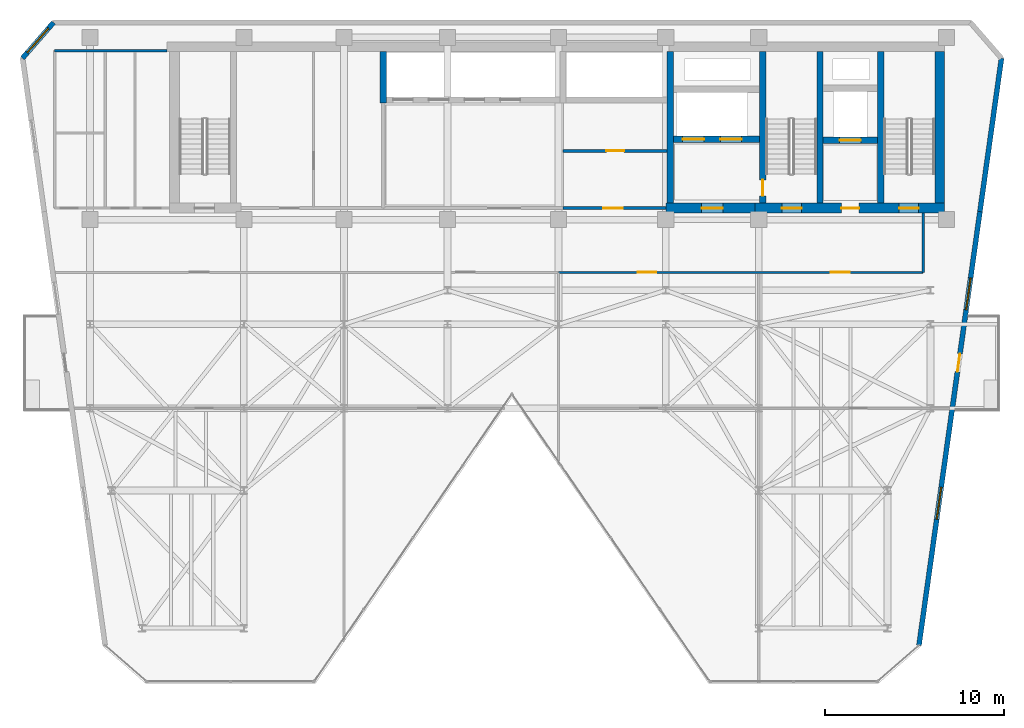
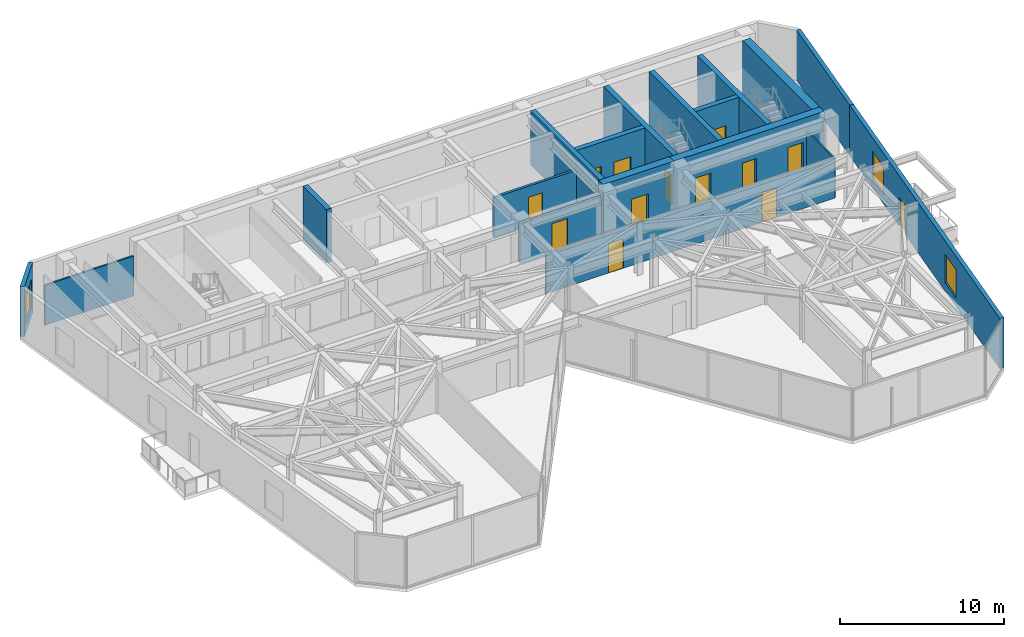
# One storey, part 17 of 21: 18 walls, 13 doors, 3 windows, 16 openings.
"""IFC4 building model written with IfcOpenShell, lengths in metres."""

from ifc_helpers import new_model, si_unit, direction, frame, frame_2d, origin, place, context, subcontext, project, spatial, rectangle, extrude, material, layer, layer_set, type_object, element, fill, save


model = new_model("IFC4")

# Units and contexts
model_context = context("Model", 3, precision=1e-05, world=origin(), true_north=direction((0.0, 1.0)))
body_context = subcontext(model_context, "Body", "Model", "MODEL_VIEW")
ifc_project = project(units=[si_unit("LENGTHUNIT", "METRE"), si_unit("AREAUNIT", "SQUARE_METRE"), si_unit("VOLUMEUNIT", "CUBIC_METRE"), si_unit("PLANEANGLEUNIT", "RADIAN"), si_unit("MASSUNIT", "GRAM", prefix="KILO")], contexts=[model_context])

# Site, building, storey
site_placement = place(None, origin())
site = spatial("IfcSite", under=ifc_project, at=site_placement, CompositionType="ELEMENT")
building_placement = place(site_placement, origin())
building = spatial("IfcBuilding", under=site, at=building_placement, Name="Kravanh Interchange Tower", CompositionType="ELEMENT")
storey_placement = place(building_placement, frame((0.0, 0.0, 208.5)))
storey = spatial("IfcBuildingStorey", under=building, at=storey_placement, Name="L50", CompositionType="ELEMENT", Elevation=208.5)

# Wall
ifc_material_1 = material(Name="Double Acoustic Gypsum Board and Mineral Wool")
ifc_layer_1 = layer(ifc_material_1, 0.1201171875)
ifc_layer_set_1 = layer_set([ifc_layer_1], Name="Acoustic Office Drywall Partition 120mm")
wall_type_1 = type_object("IfcWallType", Name="Acoustic Office Drywall Partition 120mm", PredefinedType="PARTITIONING", material=ifc_layer_set_1)
wall_1_placement = place(storey_placement, frame((16.6201171875, 46.800048828125, 0.0), z_axis=(0.0, 0.0, 1.0), x_axis=(1.0, 0.0, 0.0)))
element("IfcWall", 1, at=wall_1_placement, inside=storey, type_object=wall_type_1, Name="L50 Restroom North Enclosure 9", PredefinedType="PARTITIONING", context=body_context, shape_type="SweptSolid", body=[
    extrude(rectangle(XDim=6.27978515625, YDim=0.1201171875, at=frame_2d((3.139892578125, 0.0))), origin(), (0.0, 0.0, 1.0), 2.98193359375),
])

# Wall, openings, doors
wall_2_placement = place(storey_placement, frame((44.800048828125, 34.39990234375, 0.0), z_axis=(0.0, 0.0, 1.0), x_axis=(1.0, 0.0, 0.0)))
wall_2 = element("IfcWall", 2, at=wall_2_placement, inside=storey, type_object=wall_type_1, Name="L50 Interior Partition 14", PredefinedType="PARTITIONING", context=body_context, shape_type="SweptSolid", body=[
    extrude(rectangle(XDim=20.39990234375, YDim=0.1201171875, at=frame_2d((10.199951171875, 0.0))), origin(), (0.0, 0.0, 1.0), 2.98193359375),
])
opening_1_placement = place(wall_2_placement, frame((4.431640625, 0.0, 0.0)))
opening_1 = element("IfcOpeningElement", 3, at=opening_1_placement, cuts=wall_2, Name="Opening D-105", PredefinedType="OPENING", context=body_context, shape_type="SweptSolid", body=[
    extrude(rectangle(XDim=1.050048828125, YDim=2.199951171875, at=frame_2d((0.52490234375, 1.10009765625))), frame((0.0, 0.070068359375, 0.0), z_axis=(0.0, -1.0, 0.0), x_axis=(1.0, 0.0, 0.0)), (0.0, 0.0, 1.0), 0.14013671875),
])
opening_2_placement = place(wall_2_placement, frame((15.234619140625, 0.0, 0.0)))
opening_2 = element("IfcOpeningElement", 4, at=opening_2_placement, cuts=wall_2, Name="Opening D-105", PredefinedType="OPENING", context=body_context, shape_type="SweptSolid", body=[
    extrude(rectangle(XDim=1.050048828125, YDim=2.199951171875, at=frame_2d((0.52490234375, 1.10009765625))), frame((0.0, 0.070068359375, 0.0), z_axis=(0.0, -1.0, 0.0), x_axis=(1.0, 0.0, 0.0)), (0.0, 0.0, 1.0), 0.14013671875),
])
ifc_material_2 = material(Name="Acoustic Glazed Oak and Aluminium", Category="aluminium")
door_type_1 = type_object("IfcDoorType", Name="Office Workplace Door 1050x2200", OperationType="NOTDEFINED", PredefinedType="DOOR", material=ifc_material_2)
door_1_placement = place(opening_1_placement, origin())
door_1 = element("IfcDoor", 5, at=door_1_placement, inside=storey, type_object=door_type_1, Name="L50 North Tea Kitchenette 13C Door", OperationType="SINGLE_SWING_RIGHT", OverallHeight=2.199951171875, OverallWidth=1.050048828125, PredefinedType="DOOR", context=body_context, shape_type="SweptSolid", body=[
    extrude(rectangle(XDim=1.050048828125, YDim=2.199951171875, at=frame_2d((0.52490234375, 1.10009765625))), frame((0.0, 0.02490234375, 0.0), z_axis=(0.0, -1.0, 0.0), x_axis=(1.0, 0.0, 0.0)), (0.0, 0.0, 1.0), 0.050048828125),
])
fill(opening_1, door_1)
door_2_placement = place(opening_2_placement, origin())
door_2 = element("IfcDoor", 6, at=door_2_placement, inside=storey, type_object=door_type_1, Name="L50 East Balcony Lounge 13D Door", OperationType="SINGLE_SWING_RIGHT", OverallHeight=2.199951171875, OverallWidth=1.050048828125, PredefinedType="DOOR", context=body_context, shape_type="SweptSolid", body=[
    extrude(rectangle(XDim=1.050048828125, YDim=2.199951171875, at=frame_2d((0.52490234375, 1.10009765625))), frame((0.0, 0.02490234375, 0.0), z_axis=(0.0, -1.0, 0.0), x_axis=(1.0, 0.0, 0.0)), (0.0, 0.0, 1.0), 0.050048828125),
])
fill(opening_2, door_2)

# Walls
wall_3_placement = place(storey_placement, frame((65.199951171875, 34.39990234375, 0.0), z_axis=(0.0, 0.0, 1.0), x_axis=(0.0, 1.0, 0.0)))
element("IfcWall", 7, at=wall_3_placement, inside=storey, type_object=wall_type_1, Name="L50 Interior Partition 15", PredefinedType="PARTITIONING", context=body_context, shape_type="SweptSolid", body=[
    extrude(rectangle(XDim=3.317138671875, YDim=0.1201171875, at=frame_2d((1.65869140625, 0.0))), origin(), (0.0, 0.0, 1.0), 2.98193359375),
])
ifc_material_3 = material(Name="Concrete C60/75", Category="concrete")
ifc_layer_2 = layer(ifc_material_3, 0.35009765625)
ifc_layer_set_2 = layer_set([ifc_layer_2], Name="Core Shear Wall Concrete C60/75 350mm")
wall_type_2 = type_object("IfcWallType", Name="Core Shear Wall Concrete C60/75 350mm", PredefinedType="SHEAR", material=ifc_layer_set_2)
for number, where, z_axis, x_axis, name in (
    (8, (62.824951171875, 38.27490234375, 0.0), (0.0, 0.0, 1.0), (0.0, 1.0, 0.0), "L50 Stair ST1 West Shear Wall"),
    (9, (59.425048828125, 38.27490234375, 0.0), (0.0, 0.0, 1.0), (0.0, 1.0, 0.0), "L50 Stair ST2 East Shear Wall"),
):
    element("IfcWall", number, at=place(storey_placement, frame(where, z_axis=z_axis, x_axis=x_axis)), inside=storey, type_object=wall_type_2, Name=name, PredefinedType="SHEAR", context=body_context, shape_type="SweptSolid", body=[
        extrude(rectangle(XDim=8.47509765625, YDim=0.35009765625, at=frame_2d((4.237548828125, 0.0))), origin(), (0.0, 0.0, 1.0), 4.0),
    ])

# Wall, opening, door
wall_4_placement = place(storey_placement, frame((56.22509765625, 38.27490234375, 0.0), z_axis=(0.0, 0.0, 1.0), x_axis=(0.0, 1.0, 0.0)))
wall_4 = element("IfcWall", 10, at=wall_4_placement, inside=storey, type_object=wall_type_2, Name="L50 Stair ST2 West Shear Wall", PredefinedType="SHEAR", context=body_context, shape_type="SweptSolid", body=[
    extrude(rectangle(XDim=8.47509765625, YDim=0.35009765625, at=frame_2d((4.237548828125, 0.0))), origin(), (0.0, 0.0, 1.0), 4.0),
])
opening_3_placement = place(wall_4_placement, frame((0.405029296875, 0.0, 0.0)))
opening_3 = element("IfcOpeningElement", 11, at=opening_3_placement, cuts=wall_4, Name="Opening D-STAIR-90", PredefinedType="OPENING", context=body_context, shape_type="SweptSolid", body=[
    extrude(rectangle(XDim=0.89990234375, YDim=2.14990234375, at=frame_2d((0.449951171875, 1.074951171875))), frame((0.0, 0.18505859375, 0.0), z_axis=(0.0, -1.0, 0.0), x_axis=(1.0, 0.0, 0.0)), (0.0, 0.0, 1.0), 0.3701171875),
])
ifc_material_4 = material(Name="Structural Steel S355", Category="steel")
door_type_2 = type_object("IfcDoorType", Name="Fire-Rated Stair Lobby Door 900x2150", OperationType="NOTDEFINED", PredefinedType="DOOR", material=ifc_material_4)
door_3_placement = place(opening_3_placement, origin())
door_3 = element("IfcDoor", 12, at=door_3_placement, inside=storey, type_object=door_type_2, Name="L50 Firefighting Lobby to Stair ST2 Door", OperationType="SINGLE_SWING_LEFT", OverallHeight=2.14990234375, OverallWidth=0.89990234375, PredefinedType="DOOR", context=body_context, shape_type="SweptSolid", body=[
    extrude(rectangle(XDim=0.89990234375, YDim=2.14990234375, at=frame_2d((0.449951171875, 1.074951171875))), frame((0.0, 0.02490234375, 0.0), z_axis=(0.0, -1.0, 0.0), x_axis=(1.0, 0.0, 0.0)), (0.0, 0.0, 1.0), 0.050048828125),
])
fill(opening_3, door_3)

wall_5_placement = place(storey_placement, frame((59.60009765625, 41.800048828125, 0.0), z_axis=(0.0, 0.0, 1.0), x_axis=(1.0, 0.0, 0.0)))
wall_5 = element("IfcWall", 13, at=wall_5_placement, inside=storey, type_object=wall_type_2, Name="L50 Service Lift Shaft South Wall", PredefinedType="SHEAR", context=body_context, shape_type="SweptSolid", body=[
    extrude(rectangle(XDim=3.0498046875, YDim=0.35009765625, at=frame_2d((1.52490234375, 0.0))), origin(), (0.0, 0.0, 1.0), 4.0),
])
opening_4_placement = place(wall_5_placement, frame((0.919921875, 0.0, 0.0)))
opening_4 = element("IfcOpeningElement", 14, at=opening_4_placement, cuts=wall_5, Name="Opening LD02", PredefinedType="OPENING", context=body_context, shape_type="SweptSolid", body=[
    extrude(rectangle(XDim=1.199951171875, YDim=2.199951171875, at=frame_2d((0.60009765625, 1.10009765625))), frame((0.0, 0.18505859375, 0.0), z_axis=(0.0, -1.0, 0.0), x_axis=(1.0, 0.0, 0.0)), (0.0, 0.0, 1.0), 0.3701171875),
])
ifc_material_5 = material(Name="Stainless Steel 316", Category="steel")
door_type_3 = type_object("IfcDoorType", Name="Fire and Service Lift Sliding Landing Door 1200x2200", OperationType="DOUBLE_DOOR_SLIDING", PredefinedType="DOOR", material=ifc_material_5)
door_4_placement = place(opening_4_placement, origin())
door_4 = element("IfcDoor", 15, at=door_4_placement, inside=storey, type_object=door_type_3, Name="L50 Lift LS-01 Landing Door", OperationType="DOUBLE_DOOR_SLIDING", OverallHeight=2.199951171875, OverallWidth=1.199951171875, PredefinedType="DOOR", context=body_context, shape_type="SweptSolid", body=[
    extrude(rectangle(XDim=1.199951171875, YDim=2.199951171875, at=frame_2d((0.60009765625, 1.10009765625))), frame((0.0, 0.02490234375, 0.0), z_axis=(0.0, -1.0, 0.0), x_axis=(1.0, 0.0, 0.0)), (0.0, 0.0, 1.0), 0.050048828125),
])
fill(opening_4, door_4)

# Wall, openings, doors
wall_6_placement = place(storey_placement, frame((51.22509765625, 41.85009765625, 0.0), z_axis=(0.0, 0.0, 1.0), x_axis=(1.0, 0.0, 0.0)))
wall_6 = element("IfcWall", 16, at=wall_6_placement, inside=storey, type_object=wall_type_2, Name="L50 Fire Lift Shaft South Wall", PredefinedType="SHEAR", context=body_context, shape_type="SweptSolid", body=[
    extrude(rectangle(XDim=4.824951171875, YDim=0.35009765625, at=frame_2d((2.41259765625, 0.0))), origin(), (0.0, 0.0, 1.0), 4.0),
])
opening_5_placement = place(wall_6_placement, frame((0.52490234375, 0.0, 0.0)))
opening_5 = element("IfcOpeningElement", 17, at=opening_5_placement, cuts=wall_6, Name="Opening LD02", PredefinedType="OPENING", context=body_context, shape_type="SweptSolid", body=[
    extrude(rectangle(XDim=1.199951171875, YDim=2.199951171875, at=frame_2d((0.60009765625, 1.10009765625))), frame((0.0, 0.18505859375, 0.0), z_axis=(0.0, -1.0, 0.0), x_axis=(1.0, 0.0, 0.0)), (0.0, 0.0, 1.0), 0.3701171875),
])
opening_6_placement = place(wall_6_placement, frame((2.625, 0.0, 0.0)))
opening_6 = element("IfcOpeningElement", 18, at=opening_6_placement, cuts=wall_6, Name="Opening LD02", PredefinedType="OPENING", context=body_context, shape_type="SweptSolid", body=[
    extrude(rectangle(XDim=1.199951171875, YDim=2.199951171875, at=frame_2d((0.60009765625, 1.10009765625))), frame((0.0, 0.18505859375, 0.0), z_axis=(0.0, -1.0, 0.0), x_axis=(1.0, 0.0, 0.0)), (0.0, 0.0, 1.0), 0.3701171875),
])
door_5_placement = place(opening_5_placement, origin())
door_5 = element("IfcDoor", 19, at=door_5_placement, inside=storey, type_object=door_type_3, Name="L50 Lift FSAE-01 Landing Door", OperationType="DOUBLE_DOOR_SLIDING", OverallHeight=2.199951171875, OverallWidth=1.199951171875, PredefinedType="DOOR", context=body_context, shape_type="SweptSolid", body=[
    extrude(rectangle(XDim=1.199951171875, YDim=2.199951171875, at=frame_2d((0.60009765625, 1.10009765625))), frame((0.0, 0.02490234375, 0.0), z_axis=(0.0, -1.0, 0.0), x_axis=(1.0, 0.0, 0.0)), (0.0, 0.0, 1.0), 0.050048828125),
])
fill(opening_5, door_5)
door_6_placement = place(opening_6_placement, origin())
door_6 = element("IfcDoor", 20, at=door_6_placement, inside=storey, type_object=door_type_3, Name="L50 Lift FSAE-02 Landing Door", OperationType="DOUBLE_DOOR_SLIDING", OverallHeight=2.199951171875, OverallWidth=1.199951171875, PredefinedType="DOOR", context=body_context, shape_type="SweptSolid", body=[
    extrude(rectangle(XDim=1.199951171875, YDim=2.199951171875, at=frame_2d((0.60009765625, 1.10009765625))), frame((0.0, 0.02490234375, 0.0), z_axis=(0.0, -1.0, 0.0), x_axis=(1.0, 0.0, 0.0)), (0.0, 0.0, 1.0), 0.050048828125),
])
fill(opening_6, door_6)

# Walls
wall_7_placement = place(storey_placement, frame((51.050048828125, 38.27490234375, 0.0), z_axis=(0.0, 0.0, 1.0), x_axis=(0.0, 1.0, 0.0)))
element("IfcWall", 21, at=wall_7_placement, inside=storey, type_object=wall_type_2, Name="L50 Firefighting Lobby West Wall", PredefinedType="SHEAR", context=body_context, shape_type="SweptSolid", body=[
    extrude(rectangle(XDim=8.47509765625, YDim=0.35009765625, at=frame_2d((4.237548828125, 0.0))), origin(), (0.0, 0.0, 1.0), 4.0),
])
wall_8_placement = place(storey_placement, frame((35.0, 43.875, 0.0), z_axis=(0.0, 0.0, 1.0), x_axis=(0.0, 1.0, 0.0)))
element("IfcWall", 22, at=wall_8_placement, inside=storey, type_object=wall_type_2, Name="L50 Mid-Rise Lift Shaft West Wall", PredefinedType="SHEAR", context=body_context, shape_type="SweptSolid", body=[
    extrude(rectangle(XDim=2.875, YDim=0.35009765625, at=frame_2d((1.4375, 0.0))), origin(), (0.0, 0.0, 1.0), 4.0),
])

# Wall, openings, doors
ifc_material_6 = material(Name="Concrete C70/85", Category="concrete")
ifc_layer_3 = layer(ifc_material_6, 0.550048828125)
ifc_layer_set_3 = layer_set([ifc_layer_3], Name="Core Shear Wall Concrete C70/85 550mm")
wall_type_3 = type_object("IfcWallType", Name="Core Shear Wall Concrete C70/85 550mm", PredefinedType="SHEAR", material=ifc_layer_set_3)
wall_9_placement = place(storey_placement, frame((55.800048828125, 38.0, 0.0), z_axis=(0.0, 0.0, 1.0), x_axis=(1.0, 0.0, 0.0)))
wall_9 = element("IfcWall", 23, at=wall_9_placement, inside=storey, type_object=wall_type_3, Name="L50 East Core South Shear Wall", PredefinedType="SHEAR", context=body_context, shape_type="SweptSolid", body=[
    extrude(rectangle(XDim=10.599853515625, YDim=0.550048828125, at=frame_2d((5.2998046875, 0.0))), origin(), (0.0, 0.0, 1.0), 4.0),
])
opening_7_placement = place(wall_9_placement, frame((1.5, 0.0, 0.0)))
opening_7 = element("IfcOpeningElement", 24, at=opening_7_placement, cuts=wall_9, Name="Opening D-STAIR-110", PredefinedType="OPENING", context=body_context, shape_type="SweptSolid", body=[
    extrude(rectangle(XDim=1.10009765625, YDim=2.199951171875, at=frame_2d((0.550048828125, 1.10009765625))), frame((0.0, 0.28515625, 0.0), z_axis=(0.0, -1.0, 0.0), x_axis=(1.0, 0.0, 0.0)), (0.0, 0.0, 1.0), 0.570068359375),
])
opening_8_placement = place(wall_9_placement, frame((4.820068359375, 0.0, 0.0)))
opening_8 = element("IfcOpeningElement", 25, at=opening_8_placement, cuts=wall_9, Name="Opening D-HOTEL-100", PredefinedType="OPENING", context=body_context, shape_type="SweptSolid", body=[
    extrude(rectangle(XDim=1.0, YDim=2.14990234375, at=frame_2d((0.5, 1.074951171875))), frame((0.0, 0.28515625, 0.0), z_axis=(0.0, -1.0, 0.0), x_axis=(1.0, 0.0, 0.0)), (0.0, 0.0, 1.0), 0.570068359375),
])
opening_9_placement = place(wall_9_placement, frame((8.050048828125, 0.0, 0.0)))
opening_9 = element("IfcOpeningElement", 26, at=opening_9_placement, cuts=wall_9, Name="Opening D-STAIR-110", PredefinedType="OPENING", context=body_context, shape_type="SweptSolid", body=[
    extrude(rectangle(XDim=1.10009765625, YDim=2.199951171875, at=frame_2d((0.550048828125, 1.10009765625))), frame((0.0, 0.28515625, 0.0), z_axis=(0.0, -1.0, 0.0), x_axis=(1.0, 0.0, 0.0)), (0.0, 0.0, 1.0), 0.570068359375),
])
ifc_material_7 = material(Name="Structural Steel S355", Category="steel")
door_type_4 = type_object("IfcDoorType", Name="Fire-Rated Exit Stair Door 1100x2200", OperationType="NOTDEFINED", PredefinedType="DOOR", material=ifc_material_7)
door_7_placement = place(opening_7_placement, origin())
door_7 = element("IfcDoor", 27, at=door_7_placement, inside=storey, type_object=door_type_4, Name="L50 Exit Stair ST2 Door", OperationType="SINGLE_SWING_RIGHT", OverallHeight=2.199951171875, OverallWidth=1.10009765625, PredefinedType="DOOR", context=body_context, shape_type="SweptSolid", body=[
    extrude(rectangle(XDim=1.10009765625, YDim=2.199951171875, at=frame_2d((0.550048828125, 1.10009765625))), frame((0.0, 0.02490234375, 0.0), z_axis=(0.0, -1.0, 0.0), x_axis=(1.0, 0.0, 0.0)), (0.0, 0.0, 1.0), 0.050048828125),
])
fill(opening_7, door_7)
door_8_placement = place(opening_9_placement, origin())
door_8 = element("IfcDoor", 28, at=door_8_placement, inside=storey, type_object=door_type_4, Name="L50 Exit Stair ST1 Door", OperationType="SINGLE_SWING_RIGHT", OverallHeight=2.199951171875, OverallWidth=1.10009765625, PredefinedType="DOOR", context=body_context, shape_type="SweptSolid", body=[
    extrude(rectangle(XDim=1.10009765625, YDim=2.199951171875, at=frame_2d((0.550048828125, 1.10009765625))), frame((0.0, 0.02490234375, 0.0), z_axis=(0.0, -1.0, 0.0), x_axis=(1.0, 0.0, 0.0)), (0.0, 0.0, 1.0), 0.050048828125),
])
fill(opening_9, door_8)
ifc_material_8 = material(Name="Fire-Rated Solid Timber Leaf", Category="wood")
door_type_5 = type_object("IfcDoorType", Name="Fire-Rated Suite Entrance Door 1000x2150", OperationType="NOTDEFINED", PredefinedType="DOOR", material=ifc_material_8)
door_9_placement = place(opening_8_placement, origin())
door_9 = element("IfcDoor", 29, at=door_9_placement, inside=storey, type_object=door_type_5, Name="L50 Service Lift Lobby Door", OperationType="SINGLE_SWING_RIGHT", OverallHeight=2.14990234375, OverallWidth=1.0, PredefinedType="DOOR", context=body_context, shape_type="SweptSolid", body=[
    extrude(rectangle(XDim=1.0, YDim=2.14990234375, at=frame_2d((0.5, 1.074951171875))), frame((0.0, 0.02490234375, 0.0), z_axis=(0.0, -1.0, 0.0), x_axis=(1.0, 0.0, 0.0)), (0.0, 0.0, 1.0), 0.050048828125),
])
fill(opening_8, door_9)

# Wall
wall_10_placement = place(storey_placement, frame((66.125, 38.27490234375, 0.0), z_axis=(0.0, 0.0, 1.0), x_axis=(0.0, 1.0, 0.0)))
element("IfcWall", 30, at=wall_10_placement, inside=storey, type_object=wall_type_3, Name="L50 Stair ST1 East Shear Wall", PredefinedType="SHEAR", context=body_context, shape_type="SweptSolid", body=[
    extrude(rectangle(XDim=8.47509765625, YDim=0.550048828125, at=frame_2d((4.237548828125, 0.0))), origin(), (0.0, 0.0, 1.0), 4.0),
])

# Wall, opening, door
wall_11_placement = place(storey_placement, frame((50.800048828125, 38.0, 0.0), z_axis=(0.0, 0.0, 1.0), x_axis=(1.0, 0.0, 0.0)))
wall_11 = element("IfcWall", 31, at=wall_11_placement, inside=storey, type_object=wall_type_3, Name="L50 Firefighting Lobby South Shear Wall", PredefinedType="SHEAR", context=body_context, shape_type="SweptSolid", body=[
    extrude(rectangle(XDim=5.0, YDim=0.550048828125, at=frame_2d((2.5, 0.0))), origin(), (0.0, 0.0, 1.0), 4.0),
])
opening_10_placement = place(wall_11_placement, frame((2.0, 0.0, 0.0)))
opening_10 = element("IfcOpeningElement", 32, at=opening_10_placement, cuts=wall_11, Name="Opening D-FSAE-120", PredefinedType="OPENING", context=body_context, shape_type="SweptSolid", body=[
    extrude(rectangle(XDim=1.199951171875, YDim=2.199951171875, at=frame_2d((0.60009765625, 1.10009765625))), frame((0.0, 0.28515625, 0.0), z_axis=(0.0, -1.0, 0.0), x_axis=(1.0, 0.0, 0.0)), (0.0, 0.0, 1.0), 0.570068359375),
])
ifc_material_9 = material(Name="Structural Steel S355", Category="steel")
door_type_6 = type_object("IfcDoorType", Name="Fire-Rated Refuge and FSAE Door 1200x2200", OperationType="NOTDEFINED", PredefinedType="DOOR", material=ifc_material_9)
door_10_placement = place(opening_10_placement, origin())
door_10 = element("IfcDoor", 33, at=door_10_placement, inside=storey, type_object=door_type_6, Name="L50 Firefighting Lobby Corridor Door", OperationType="SINGLE_SWING_RIGHT", OverallHeight=2.199951171875, OverallWidth=1.199951171875, PredefinedType="DOOR", context=body_context, shape_type="SweptSolid", body=[
    extrude(rectangle(XDim=1.199951171875, YDim=2.199951171875, at=frame_2d((0.60009765625, 1.10009765625))), frame((0.0, 0.02490234375, 0.0), z_axis=(0.0, -1.0, 0.0), x_axis=(1.0, 0.0, 0.0)), (0.0, 0.0, 1.0), 0.050048828125),
])
fill(opening_10, door_10)

# Wall, opening, window
ifc_material_10 = material(Name="Insulated Precast Concrete C40/50 with Bronze Cladding", Category="concrete")
ifc_layer_4 = layer(ifc_material_10, 0.280029296875)
ifc_layer_set_4 = layer_set([ifc_layer_4], Name="Exterior Insulated Concrete C40/50 Bronze Spandrel Wall 280mm")
wall_type_4 = type_object("IfcWallType", Name="Exterior Insulated Concrete C40/50 Bronze Spandrel Wall 280mm", PredefinedType="STANDARD", material=ifc_layer_set_4)
wall_12_placement = place(storey_placement, frame((14.818603515625, 46.3828125, 0.0), z_axis=(0.0, 0.0, 1.0), x_axis=(0.656071351282, 0.754698868442, 0.0)))
wall_12 = element("IfcWall", 34, at=wall_12_placement, inside=storey, type_object=wall_type_4, Name="L50 Exterior Wall 3", PredefinedType="STANDARD", context=body_context, shape_type="SweptSolid", body=[
    extrude(rectangle(XDim=2.646240234375, YDim=0.280029296875, at=frame_2d((1.3232421875, 0.0))), origin(), (0.0, 0.0, 1.0), 3.7548828125),
])
opening_11_placement = place(wall_12_placement, frame((0.41552734375, 0.0, 0.64990234375)))
opening_11 = element("IfcOpeningElement", 35, at=opening_11_placement, cuts=wall_12, Name="Opening WN-180X210", PredefinedType="OPENING", context=body_context, shape_type="SweptSolid", body=[
    extrude(rectangle(XDim=1.800048828125, YDim=2.10009765625, at=frame_2d((0.89990234375, 1.050048828125))), frame((0.0, 0.14990234375, 0.0), z_axis=(0.0, -1.0, 0.0), x_axis=(1.0, 0.0, 0.0)), (0.0, 0.0, 1.0), 0.300048828125),
])
ifc_material_11 = material(Name="Thermally Broken Bronze Aluminium and Low-E Glass", Category="aluminium")
window_type = type_object("IfcWindowType", Name="Tower Pier Window 1800x2100", PartitioningType="SINGLE_PANEL", PredefinedType="WINDOW", material=ifc_material_11)
window_1_placement = place(opening_11_placement, origin())
window_1 = element("IfcWindow", 36, at=window_1_placement, inside=storey, type_object=window_type, Name="L50 Corner Window 3", OverallHeight=2.10009765625, OverallWidth=1.800048828125, PartitioningType="SINGLE_PANEL", PredefinedType="WINDOW", context=body_context, shape_type="SweptSolid", body=[
    extrude(rectangle(XDim=1.800048828125, YDim=2.10009765625, at=frame_2d((0.89990234375, 1.050048828125))), frame((0.0, 0.030029296875, 0.0), z_axis=(0.0, -1.0, 0.0), x_axis=(1.0, 0.0, 0.0)), (0.0, 0.0, 1.0), 0.06005859375),
])
fill(opening_11, window_1)

# Wall
wall_13_placement = place(storey_placement, frame((69.581298828125, 46.3828125, 0.0), z_axis=(0.0, 0.0, 1.0), x_axis=(-0.13918102754, -0.990266954701, 0.0)))
element("IfcWall", 37, at=wall_13_placement, inside=storey, type_object=wall_type_4, Name="L50 Exterior Wall 6", PredefinedType="STANDARD", context=body_context, shape_type="SweptSolid", body=[
    extrude(rectangle(XDim=8.667236328125, YDim=0.280029296875, at=frame_2d((4.33349609375, 0.0))), origin(), (0.0, 0.0, 1.0), 3.7548828125),
])

# Wall, openings, door, windows
wall_14_placement = place(storey_placement, frame((68.375, 37.800048828125, 0.0), z_axis=(0.0, 0.0, 1.0), x_axis=(-0.139173290738, -0.99026804207, 0.0)))
wall_14 = element("IfcWall", 38, at=wall_14_placement, inside=storey, type_object=wall_type_4, Name="L50 Exterior Wall 7", PredefinedType="STANDARD", context=body_context, shape_type="SweptSolid", body=[
    extrude(rectangle(XDim=24.497802734375, YDim=0.280029296875, at=frame_2d((12.2490234375, 0.0))), origin(), (0.0, 0.0, 1.0), 3.7548828125),
])
opening_12_placement = place(wall_14_placement, frame((8.036376953125, 0.0, 0.0)))
opening_12 = element("IfcOpeningElement", 39, at=opening_12_placement, cuts=wall_14, Name="Opening ED-BAL100", PredefinedType="OPENING", context=body_context, shape_type="SweptSolid", body=[
    extrude(rectangle(XDim=1.0, YDim=2.14990234375, at=frame_2d((0.5, 1.074951171875))), frame((0.0, 0.14990234375, 0.0), z_axis=(0.0, -1.0, 0.0), x_axis=(1.0, 0.0, 0.0)), (0.0, 0.0, 1.0), 0.300048828125),
])
opening_13_placement = place(wall_14_placement, frame((3.74853515625, 0.0, 0.64990234375)))
opening_13 = element("IfcOpeningElement", 40, at=opening_13_placement, cuts=wall_14, Name="Opening WN-180X210", PredefinedType="OPENING", context=body_context, shape_type="SweptSolid", body=[
    extrude(rectangle(XDim=1.800048828125, YDim=2.10009765625, at=frame_2d((0.89990234375, 1.050048828125))), frame((0.0, 0.14990234375, 0.0), z_axis=(0.0, -1.0, 0.0), x_axis=(1.0, 0.0, 0.0)), (0.0, 0.0, 1.0), 0.300048828125),
])
opening_14_placement = place(wall_14_placement, frame((15.5712890625, 0.0, 0.64990234375)))
opening_14 = element("IfcOpeningElement", 41, at=opening_14_placement, cuts=wall_14, Name="Opening WN-180X210", PredefinedType="OPENING", context=body_context, shape_type="SweptSolid", body=[
    extrude(rectangle(XDim=1.800048828125, YDim=2.10009765625, at=frame_2d((0.89990234375, 1.050048828125))), frame((0.0, 0.14990234375, 0.0), z_axis=(0.0, -1.0, 0.0), x_axis=(1.0, 0.0, 0.0)), (0.0, 0.0, 1.0), 0.300048828125),
])
ifc_material_12 = material(Name="Thermally Broken Bronze Aluminium and Laminated Glass", Category="aluminium")
door_type_7 = type_object("IfcDoorType", Name="Balcony Glazed Door 1000x2150", OperationType="NOTDEFINED", PredefinedType="DOOR", material=ifc_material_12)
door_11_placement = place(opening_12_placement, origin())
door_11 = element("IfcDoor", 42, at=door_11_placement, inside=storey, type_object=door_type_7, Name="L50 E Tree Balcony Access Door", OperationType="SINGLE_SWING_RIGHT", OverallHeight=2.14990234375, OverallWidth=1.0, PredefinedType="DOOR", context=body_context, shape_type="SweptSolid", body=[
    extrude(rectangle(XDim=1.0, YDim=2.14990234375, at=frame_2d((0.5, 1.074951171875))), frame((0.0, 0.02490234375, 0.0), z_axis=(0.0, -1.0, 0.0), x_axis=(1.0, 0.0, 0.0)), (0.0, 0.0, 1.0), 0.050048828125),
])
fill(opening_12, door_11)
window_2_placement = place(opening_13_placement, origin())
window_2 = element("IfcWindow", 43, at=window_2_placement, inside=storey, type_object=window_type, Name="L50 Facade Window 7A", OverallHeight=2.10009765625, OverallWidth=1.800048828125, PartitioningType="SINGLE_PANEL", PredefinedType="WINDOW", context=body_context, shape_type="SweptSolid", body=[
    extrude(rectangle(XDim=1.800048828125, YDim=2.10009765625, at=frame_2d((0.89990234375, 1.050048828125))), frame((0.0, 0.030029296875, 0.0), z_axis=(0.0, -1.0, 0.0), x_axis=(1.0, 0.0, 0.0)), (0.0, 0.0, 1.0), 0.06005859375),
])
fill(opening_13, window_2)
window_3_placement = place(opening_14_placement, origin())
window_3 = element("IfcWindow", 44, at=window_3_placement, inside=storey, type_object=window_type, Name="L50 Facade Window 7B", OverallHeight=2.10009765625, OverallWidth=1.800048828125, PartitioningType="SINGLE_PANEL", PredefinedType="WINDOW", context=body_context, shape_type="SweptSolid", body=[
    extrude(rectangle(XDim=1.800048828125, YDim=2.10009765625, at=frame_2d((0.89990234375, 1.050048828125))), frame((0.0, 0.030029296875, 0.0), z_axis=(0.0, -1.0, 0.0), x_axis=(1.0, 0.0, 0.0)), (0.0, 0.0, 1.0), 0.06005859375),
])
fill(opening_14, window_3)

# Wall, opening, door
ifc_material_13 = material(Name="Autoclaved Aerated Concrete C30/37 Blockwork", Category="masonry")
ifc_layer_5 = layer(ifc_material_13, 0.179931640625)
ifc_layer_set_5 = layer_set([ifc_layer_5], Name="Fire-Rated Lobby and Corridor Wall Concrete C30/37 180mm")
wall_type_5 = type_object("IfcWallType", Name="Fire-Rated Lobby and Corridor Wall Concrete C30/37 180mm", PredefinedType="STANDARD", material=ifc_layer_set_5)
wall_15_placement = place(storey_placement, frame((45.050048828125, 38.0, 0.0), z_axis=(0.0, 0.0, 1.0), x_axis=(1.0, 0.0, 0.0)))
wall_15 = element("IfcWall", 45, at=wall_15_placement, inside=storey, type_object=wall_type_5, Name="L50 Core South Enclosure 1", PredefinedType="STANDARD", context=body_context, shape_type="SweptSolid", body=[
    extrude(rectangle(XDim=5.75, YDim=0.179931640625, at=frame_2d((2.875, 0.0))), origin(), (0.0, 0.0, 1.0), 2.98193359375),
])
opening_15_placement = place(wall_15_placement, frame((2.240478515625, 0.0, 0.0)))
opening_15 = element("IfcOpeningElement", 46, at=opening_15_placement, cuts=wall_15, Name="Opening D-SHAFT-110", PredefinedType="OPENING", context=body_context, shape_type="SweptSolid", body=[
    extrude(rectangle(XDim=1.10009765625, YDim=2.199951171875, at=frame_2d((0.550048828125, 1.10009765625))), frame((0.0, 0.10009765625, 0.0), z_axis=(0.0, -1.0, 0.0), x_axis=(1.0, 0.0, 0.0)), (0.0, 0.0, 1.0), 0.199951171875),
])
ifc_material_14 = material(Name="Fire-Rated Composite Timber Leaf", Category="wood")
door_type_8 = type_object("IfcDoorType", Name="Fire-Rated Core Support Door 1100x2200", OperationType="NOTDEFINED", PredefinedType="DOOR", material=ifc_material_14)
door_12_placement = place(opening_15_placement, origin())
door_12 = element("IfcDoor", 47, at=door_12_placement, inside=storey, type_object=door_type_8, Name="L50 Core Telecom Room Door", OperationType="SINGLE_SWING_RIGHT", OverallHeight=2.199951171875, OverallWidth=1.10009765625, PredefinedType="DOOR", context=body_context, shape_type="SweptSolid", body=[
    extrude(rectangle(XDim=1.10009765625, YDim=2.199951171875, at=frame_2d((0.550048828125, 1.10009765625))), frame((0.0, 0.02490234375, 0.0), z_axis=(0.0, -1.0, 0.0), x_axis=(1.0, 0.0, 0.0)), (0.0, 0.0, 1.0), 0.050048828125),
])
fill(opening_15, door_12)

wall_16_placement = place(storey_placement, frame((45.050048828125, 41.199951171875, 0.0), z_axis=(0.0, 0.0, 1.0), x_axis=(1.0, 0.0, 0.0)))
wall_16 = element("IfcWall", 48, at=wall_16_placement, inside=storey, type_object=wall_type_5, Name="L50 Interior Partition 2", PredefinedType="STANDARD", context=body_context, shape_type="SweptSolid", body=[
    extrude(rectangle(XDim=5.81689453125, YDim=0.179931640625, at=frame_2d((2.908447265625, 0.0))), origin(), (0.0, 0.0, 1.0), 2.98193359375),
])
opening_16_placement = place(wall_16_placement, frame((2.425048828125, 0.0, 0.0)))
opening_16 = element("IfcOpeningElement", 49, at=opening_16_placement, cuts=wall_16, Name="Opening D-HOTEL-100", PredefinedType="OPENING", context=body_context, shape_type="SweptSolid", body=[
    extrude(rectangle(XDim=1.0, YDim=2.14990234375, at=frame_2d((0.5, 1.074951171875))), frame((0.0, 0.10009765625, 0.0), z_axis=(0.0, -1.0, 0.0), x_axis=(1.0, 0.0, 0.0)), (0.0, 0.0, 1.0), 0.199951171875),
])
door_13_placement = place(opening_16_placement, origin())
door_13 = element("IfcDoor", 50, at=door_13_placement, inside=storey, type_object=door_type_5, Name="L50 Core Telecom Inner Door", OperationType="SINGLE_SWING_LEFT", OverallHeight=2.14990234375, OverallWidth=1.0, PredefinedType="DOOR", context=body_context, shape_type="SweptSolid", body=[
    extrude(rectangle(XDim=1.0, YDim=2.14990234375, at=frame_2d((0.5, 1.074951171875))), frame((0.0, 0.02490234375, 0.0), z_axis=(0.0, -1.0, 0.0), x_axis=(1.0, 0.0, 0.0)), (0.0, 0.0, 1.0), 0.050048828125),
])
fill(opening_16, door_13)

save(model, "model.ifc")
